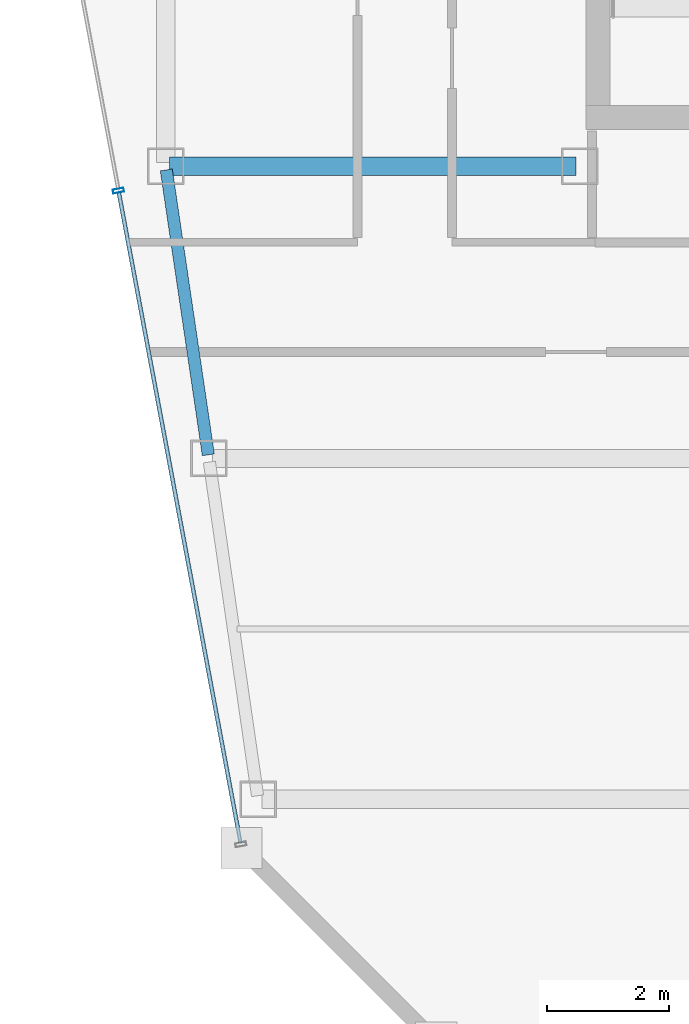
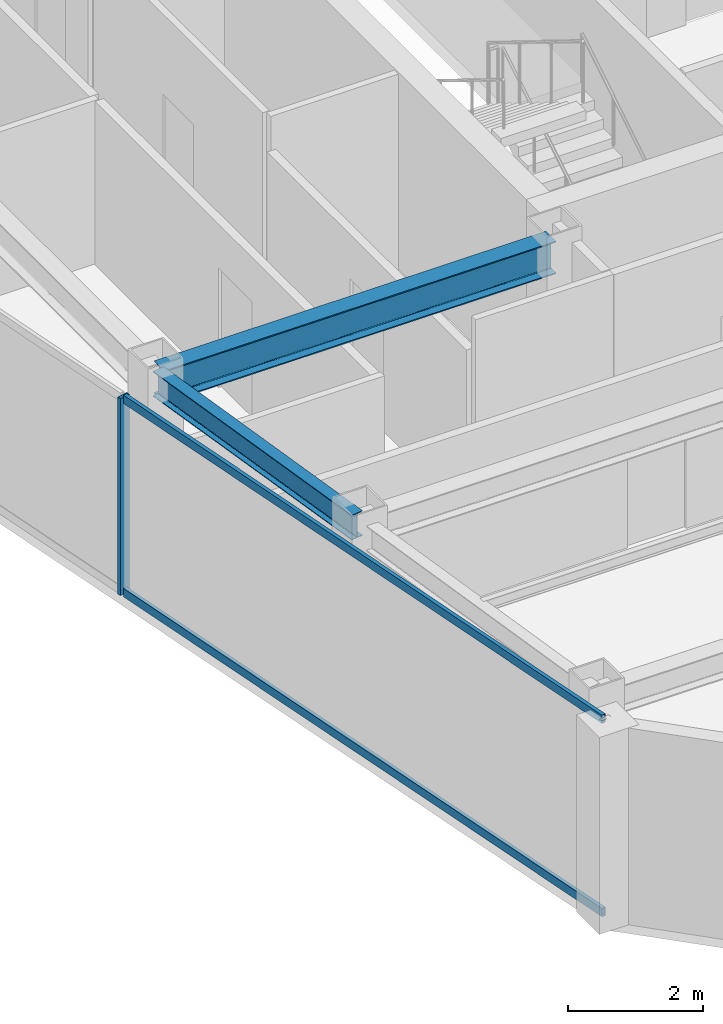
# One storey, part 4 of 22: 3 members, 2 beams, 1 element without a shape of its own.
"""IFC4 building model written with IfcOpenShell, lengths in metres."""

import ifcopenshell
import ifcopenshell.guid

model = None  # the IFC model being written
_history = None  # IfcOwnerHistory: only IFC2X3 demands one
_inside = {}  # id of a spatial element -> (the spatial element, [elements in it])
_under = {}  # id of a project, library or spatial element -> (it, [spatial elements below it])
_declared = {}  # id of a project -> (the project, [libraries it declares])
_typed = {}  # id of a type object -> (the type object, [elements of that type])
_made_of = {}  # id of a material, layer set ... -> (it, [elements and type objects made of it])


def new_model(schema):
    """Start an empty IFC model of exactly this schema.

    Asked for "IFC4X3", IfcOpenShell would pick the latest addendum, in which some entities
    have other attributes; the version numbers below select the first issue.
    IFC2X3 requires an IfcOwnerHistory on every rooted entity: one is made here for all.
    """
    global model, _history
    if schema == "IFC4X3":
        model = ifcopenshell.file(schema_version=(4, 3, 0, 0))
    else:
        model = ifcopenshell.file(schema=schema)
    _inside.clear()
    _under.clear()
    _declared.clear()
    _typed.clear()
    _made_of.clear()
    _history = None
    if model.schema == "IFC2X3":
        org = make("IfcOrganization", Name="unknown")
        user = make(
            "IfcPersonAndOrganization",
            ThePerson=make("IfcPerson", FamilyName="unknown"),
            TheOrganization=org,
        )
        app = make(
            "IfcApplication",
            ApplicationDeveloper=org,
            Version="unknown",
            ApplicationFullName="unknown",
            ApplicationIdentifier="unknown",
        )
        _history = make(
            "IfcOwnerHistory",
            OwningUser=user,
            OwningApplication=app,
            ChangeAction="ADDED",
            CreationDate=0,
        )
    return model


def make(cls, **values):
    """One entity of the class cls with the attributes given. An attribute that is None is left unset."""
    return model.create_entity(
        cls, **{name: value for name, value in values.items() if value is not None}
    )


def rooted(cls, **values):
    """An entity with a GlobalId (a new one), such as an element, a storey or a relation."""
    return make(cls, GlobalId=ifcopenshell.guid.new(), OwnerHistory=_history, **values)


def si_unit(unit_type, name, prefix=None):
    """IfcSIUnit, for example si_unit("LENGTHUNIT", "METRE", prefix="MILLI")."""
    return make("IfcSIUnit", UnitType=unit_type, Prefix=prefix, Name=name)


def assignment(units):
    """IfcUnitAssignment: the units of a project."""
    return None if units is None else make("IfcUnitAssignment", Units=units)


def point(xyz):
    """IfcCartesianPoint."""
    return None if xyz is None else make("IfcCartesianPoint", Coordinates=xyz)


def direction(xyz):
    """IfcDirection."""
    return None if xyz is None else make("IfcDirection", DirectionRatios=xyz)


def frame(location, z_axis=None, x_axis=None):
    """IfcAxis2Placement3D, a coordinate frame: its origin and axes. An axis left out is left unset."""
    return make(
        "IfcAxis2Placement3D",
        Location=point(location),
        Axis=direction(z_axis),
        RefDirection=direction(x_axis),
    )


def frame_2d(location, x_axis=None):
    """IfcAxis2Placement2D, a coordinate frame in the plane: its origin and x axis."""
    return make(
        "IfcAxis2Placement2D", Location=point(location), RefDirection=direction(x_axis)
    )


def origin():
    """The frame at (0, 0, 0) with its axes left unset."""
    return frame((0.0, 0.0, 0.0))


def origin_2d():
    """The frame at (0, 0) in the plane with its x axis left unset."""
    return frame_2d((0.0, 0.0))


def place(relative_to, where):
    """IfcLocalPlacement: puts the frame where relative to a parent placement (None: the world)."""
    return make(
        "IfcLocalPlacement", PlacementRelTo=relative_to, RelativePlacement=where
    )


def context(
    kind, dimensions, precision=None, world=None, true_north=None, identifier=None
):
    """IfcGeometricRepresentationContext, for example the 3D "Model" context."""
    return make(
        "IfcGeometricRepresentationContext",
        ContextIdentifier=identifier,
        ContextType=kind,
        CoordinateSpaceDimension=dimensions,
        Precision=precision,
        WorldCoordinateSystem=world,
        TrueNorth=true_north,
    )


def subcontext(parent, identifier, kind, view, scale=None):
    """IfcGeometricRepresentationSubContext, for example "Body" below "Model"."""
    return make(
        "IfcGeometricRepresentationSubContext",
        ContextIdentifier=identifier,
        ContextType=kind,
        ParentContext=parent,
        TargetScale=scale,
        TargetView=view,
    )


def project(units=None, contexts=None):
    """IfcProject with its units and contexts."""
    return rooted(
        "IfcProject",
        Name="project",
        RepresentationContexts=contexts,
        UnitsInContext=assignment(units),
    )


def spatial(cls, under=None, at=None, **own):
    """A site, building, storey or space (cls), placed at a placement, below another one or the project."""
    s = rooted(cls, ObjectPlacement=at, **own)
    if under is not None:
        _under.setdefault(under.id(), (under, []))[1].append(s)
    return s


def profile(cls, at=None, kind="AREA", **sizes):
    """A parametric profile (cls). Its sizes go by their IFC names, for example OverallWidth=200.0."""
    return make(cls, ProfileType=kind, Position=at, **sizes)


def hollow_rectangle(**sizes):
    """IfcRectangleHollowProfileDef."""
    return profile("IfcRectangleHollowProfileDef", **sizes)


def i_section(**sizes):
    """IfcIShapeProfileDef."""
    return profile("IfcIShapeProfileDef", **sizes)


def extrude(swept, where, along, depth):
    """IfcExtrudedAreaSolid: the profile swept, set in the frame where, extruded along a direction by depth."""
    return make(
        "IfcExtrudedAreaSolid",
        SweptArea=swept,
        Position=where,
        ExtrudedDirection=direction(along),
        Depth=depth,
    )


def shape(context_of_items, identifier, shape_type, items):
    """IfcShapeRepresentation: the items that make up one representation, for example the "Body"."""
    return make(
        "IfcShapeRepresentation",
        ContextOfItems=context_of_items,
        RepresentationIdentifier=identifier,
        RepresentationType=shape_type,
        Items=items,
    )


def material(Name=None, Category=None):
    """IfcMaterial."""
    return make("IfcMaterial", Name=Name, Category=Category)


def material_profile(
    of_material, cross_section, Name=None, Category=None, Priority=None
):
    """IfcMaterialProfile: a cross section and its material."""
    return make(
        "IfcMaterialProfile",
        Name=Name,
        Material=of_material,
        Profile=cross_section,
        Priority=Priority,
        Category=Category,
    )


def profile_set(profiles, Name=None, composite=None):
    """IfcMaterialProfileSet."""
    return make(
        "IfcMaterialProfileSet",
        Name=Name,
        MaterialProfiles=profiles,
        CompositeProfile=composite,
    )


def made_of(thing, what):
    """Note that an element or type object is made of a material, layer set ...; save() writes the relation."""
    if what is not None:
        _made_of.setdefault(what.id(), (what, []))[1].append(thing)
    return thing


def type_object(cls, material=None, **own):
    """A type object (cls), such as IfcWallType, which elements share."""
    return made_of(rooted(cls, **own), material)


def element(
    cls,
    number,
    at=None,
    inside=None,
    cuts=None,
    type_object=None,
    material=None,
    context=None,
    identifier="Body",
    shape_type=None,
    held_by="IfcProductDefinitionShape",
    body=None,
    shapes=None,
    **own,
):
    """One element of the class cls, such as IfcWall. Its Tag is "e" and its number.

    at: its placement. inside: the storey or other place that contains it. cuts: it is an
    opening in that element (IfcRelVoidsElement). A single representation is given by context,
    identifier, shape_type and body (its items); several are given by shapes. held_by: the class
    of the entity that holds the representations. save() writes the other relations.
    """
    e = rooted(cls, Tag="e%d" % number, ObjectPlacement=at, **own)
    if body is not None:
        shapes = [shape(context, identifier, shape_type, body)]
    if shapes is not None:
        e.Representation = make(held_by, Representations=shapes)
    if inside is not None:
        _inside.setdefault(inside.id(), (inside, []))[1].append(e)
    if cuts is not None:
        rooted(
            "IfcRelVoidsElement", RelatingBuildingElement=cuts, RelatedOpeningElement=e
        )
    if type_object is not None:
        _typed.setdefault(type_object.id(), (type_object, []))[1].append(e)
    return made_of(e, material)


def aggregate(whole, parts):
    """IfcRelAggregates: a whole, such as a stair, and the parts it consists of."""
    return rooted("IfcRelAggregates", RelatingObject=whole, RelatedObjects=parts)


def save(model, path):
    """Write the relations noted so far, then the file.

    IfcRelAggregates (storeys below a building ...), IfcRelContainedInSpatialStructure (elements
    in a storey), IfcRelDefinesByType, IfcRelAssociatesMaterial and IfcRelDeclares: one each for
    every whole, place, type object, material and project.
    """
    for whole, parts in _under.values():
        aggregate(whole, parts)
    for where, things in _inside.values():
        rooted(
            "IfcRelContainedInSpatialStructure",
            RelatedElements=things,
            RelatingStructure=where,
        )
    for kind, things in _typed.values():
        rooted("IfcRelDefinesByType", RelatedObjects=things, RelatingType=kind)
    for what, things in _made_of.values():
        rooted("IfcRelAssociatesMaterial", RelatedObjects=things, RelatingMaterial=what)
    for by, libraries in _declared.values():
        rooted("IfcRelDeclares", RelatingContext=by, RelatedDefinitions=libraries)
    model.write(path)


model = new_model("IFC4")

# Units and contexts
model_context = context("Model", 3, precision=1e-05, world=origin(), true_north=direction((0.0, 1.0)))
body_context = subcontext(model_context, "Body", "Model", "MODEL_VIEW")
ifc_project = project(units=[si_unit("LENGTHUNIT", "METRE"), si_unit("AREAUNIT", "SQUARE_METRE"), si_unit("VOLUMEUNIT", "CUBIC_METRE"), si_unit("PLANEANGLEUNIT", "RADIAN"), si_unit("MASSUNIT", "GRAM", prefix="KILO")], contexts=[model_context])

# Site, building, storey
site_placement = place(None, origin())
site = spatial("IfcSite", under=ifc_project, at=site_placement, CompositionType="ELEMENT")
building_placement = place(site_placement, origin())
building = spatial("IfcBuilding", under=site, at=building_placement, Name="Saevonmaru Cultural Tower", CompositionType="ELEMENT")
storey_placement = place(building_placement, frame((0.0, 0.0, 287.60009765625)))
storey = spatial("IfcBuildingStorey", under=building, at=storey_placement, Name="L68", CompositionType="ELEMENT", Elevation=287.60009765625)

# Beams
ifc_material_1 = material(Name="Steel SM355", Category="steel")
ifc_material_profile_1 = material_profile(ifc_material_1, i_section(OverallWidth=0.300048828125, OverallDepth=0.587890625, WebThickness=0.011962890625, FlangeThickness=0.02001953125, FilletRadius=0.02392578125, at=origin_2d()), Name="H-588x300x12x20")
ifc_profile_set_1 = profile_set([ifc_material_profile_1], Name="Steel SM355")
beam_type_1 = type_object("IfcBeamType", Name="BM-G-H588", PredefinedType="BEAM", material=ifc_profile_set_1)
beam_1_placement = place(storey_placement, frame((6.860107421875, 42.39990234375, 3.255859375), z_axis=(1.0, 0.0, 0.0), x_axis=(0.0, 1.0, 0.0)))
element("IfcBeam", 1, at=beam_1_placement, inside=storey, type_object=beam_type_1, Name="L68 Core South Girder 1", PredefinedType="BEAM", context=body_context, shape_type="SweptSolid", body=[
    extrude(i_section(OverallWidth=0.300048828125, OverallDepth=0.587890625, WebThickness=0.011962890625, FlangeThickness=0.02001953125, FilletRadius=0.02392578125, at=origin_2d()), origin(), (0.0, 0.0, 1.0), 6.679931640625),
])
ifc_material_profile_2 = material_profile(ifc_material_1, i_section(OverallWidth=0.199951171875, OverallDepth=0.449951171875, WebThickness=0.009033203125, FlangeThickness=0.013916015625, FilletRadius=0.01806640625, at=origin_2d()), Name="H-450x200x9x14")
ifc_profile_set_2 = profile_set([ifc_material_profile_2], Name="Steel SM355")
beam_type_2 = type_object("IfcBeamType", Name="BM-SP-H450", PredefinedType="SPANDREL", material=ifc_profile_set_2)
beam_2_placement = place(storey_placement, frame((7.499267578125, 37.659423828125, 3.324951171875), z_axis=(-0.145912860028, 0.989297446312, 0.0), x_axis=(-0.989297446312, -0.145912860028, 0.0)))
element("IfcBeam", 2, at=beam_2_placement, inside=storey, type_object=beam_type_2, Name="L68 West Splayed Spandrel 2", PredefinedType="SPANDREL", context=body_context, shape_type="SweptSolid", body=[
    extrude(i_section(OverallWidth=0.199951171875, OverallDepth=0.449951171875, WebThickness=0.009033203125, FlangeThickness=0.013916015625, FilletRadius=0.01806640625, at=origin_2d()), origin(), (0.0, 0.0, 1.0), 4.731689453125),
])

# Curtain wall, members
ifc_material_2 = material(Name="Satin Bronze Anodised Aluminium", Category="aluminium")
curtain_wall_type = type_object("IfcCurtainWallType", Name="CW-TYP-B", PredefinedType="NOTDEFINED", material=ifc_material_2)
curtain_wall_placement = place(storey_placement, origin())
curtain_wall = element("IfcCurtainWall", 3, at=curtain_wall_placement, inside=storey, type_object=curtain_wall_type, Name="L68 Unitised Curtain Wall E12", PredefinedType="NOTDEFINED")
ifc_material_profile_3 = material_profile(ifc_material_2, hollow_rectangle(XDim=0.06494140625, YDim=0.179931640625, WallThickness=0.00390625, at=origin_2d()), Name="ALU-MULL-180x65x4")
ifc_profile_set_3 = profile_set([ifc_material_profile_3], Name="Satin Bronze Anodised Aluminium")
member_type_1 = type_object("IfcMemberType", Name="ML-CW-180x65", PredefinedType="MULLION", material=ifc_profile_set_3)
member_1_placement = place(storey_placement, frame((6.022216796875, 42.0, 0.0), z_axis=(0.0, 0.0, 1.0), x_axis=(0.184046528232, -0.982917532373, 0.0)))
member_1 = element("IfcMember", 4, at=member_1_placement, type_object=member_type_1, Name="CW-TW-L68-E12 mullion 2", PredefinedType="MULLION", context=body_context, shape_type="SweptSolid", body=[
    extrude(hollow_rectangle(XDim=0.06494140625, YDim=0.179931640625, WallThickness=0.00390625, at=origin_2d()), origin(), (0.0, 0.0, 1.0), 3.5498046875),
])
ifc_material_profile_4 = material_profile(ifc_material_2, hollow_rectangle(XDim=0.06494140625, YDim=0.14990234375, WallThickness=0.00390625, at=origin_2d()), Name="ALU-TRAN-150x65x4")
ifc_profile_set_4 = profile_set([ifc_material_profile_4], Name="Satin Bronze Anodised Aluminium")
member_type_2 = type_object("IfcMemberType", Name="TR-CW-150x65", PredefinedType="USERDEFINED", material=ifc_profile_set_4)
member_2_placement = place(storey_placement, frame((6.028076171875, 41.968017578125, 0.032470703125), z_axis=(0.184051053742, -0.982916684982, 0.0), x_axis=(0.982916684982, 0.184051053742, 0.0)))
member_2 = element("IfcMember", 5, at=member_2_placement, type_object=member_type_2, Name="CW-TW-L68-E12 transom 2.1", ObjectType="TRANSOM", PredefinedType="USERDEFINED", context=body_context, shape_type="SweptSolid", body=[
    extrude(hollow_rectangle(XDim=0.06494140625, YDim=0.14990234375, WallThickness=0.00390625, at=origin_2d()), origin(), (0.0, 0.0, 1.0), 10.862548828125),
])
member_3_placement = place(storey_placement, frame((6.028076171875, 41.968017578125, 3.517333984375), z_axis=(0.184051053742, -0.982916684982, 0.0), x_axis=(0.982916684982, 0.184051053742, 0.0)))
member_3 = element("IfcMember", 6, at=member_3_placement, type_object=member_type_2, Name="CW-TW-L68-E12 transom 2.2", ObjectType="TRANSOM", PredefinedType="USERDEFINED", context=body_context, shape_type="SweptSolid", body=[
    extrude(hollow_rectangle(XDim=0.06494140625, YDim=0.14990234375, WallThickness=0.00390625, at=origin_2d()), origin(), (0.0, 0.0, 1.0), 10.862548828125),
])
aggregate(curtain_wall, [member_1, member_2, member_3])

save(model, "model.ifc")
